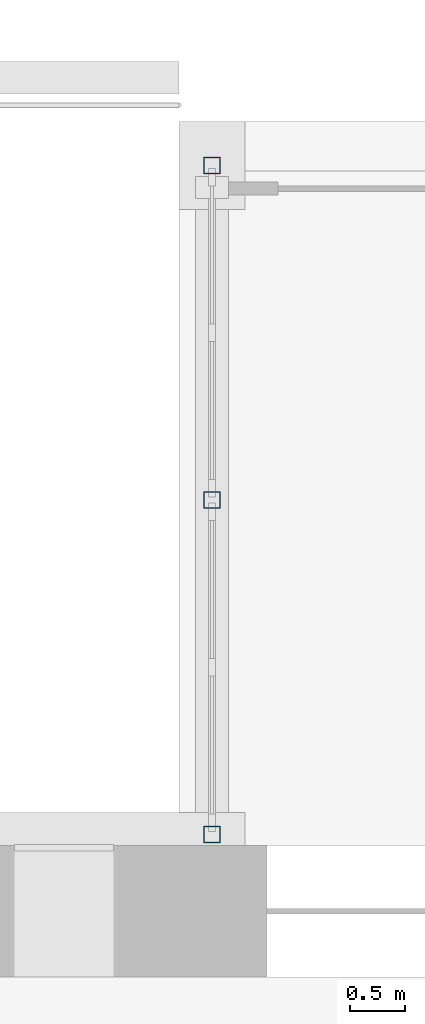
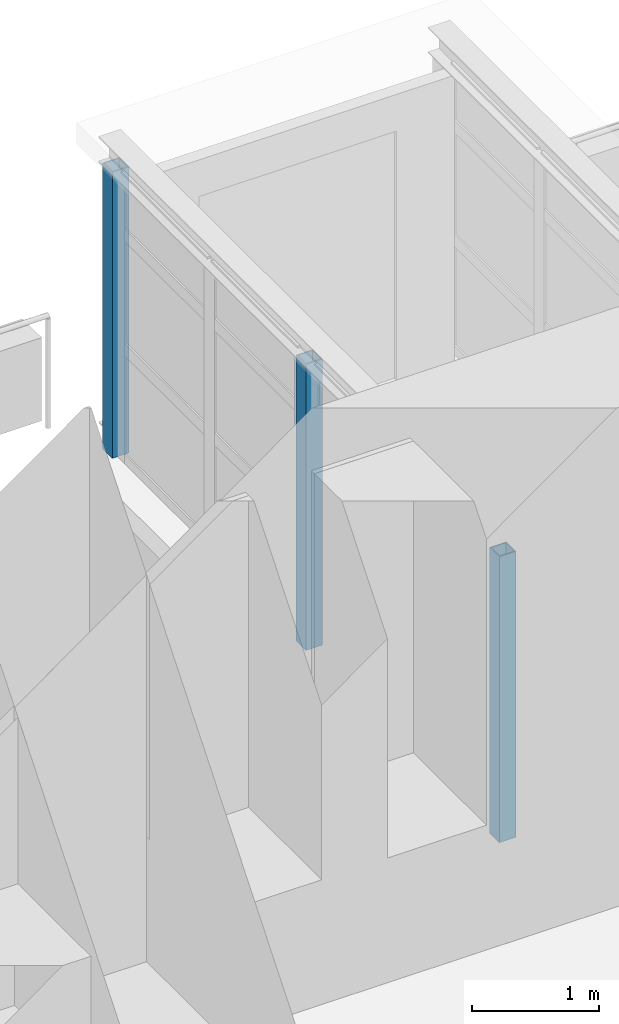
# One storey, part 21 of 131: 3 columns.
"""IFC4 building model written with IfcOpenShell, lengths in metres."""

from ifc_helpers import new_model, si_unit, direction, frame, origin, origin_2d, place, context, subcontext, project, spatial, hollow_rectangle, extrude, material, material_profile, profile_set, type_object, element, save


model = new_model("IFC4")

# Units and contexts
model_context = context("Model", 3, precision=1e-05, world=origin(), true_north=direction((0.0, 1.0)))
body_context = subcontext(model_context, "Body", "Model", "MODEL_VIEW")
ifc_project = project(units=[si_unit("LENGTHUNIT", "METRE"), si_unit("AREAUNIT", "SQUARE_METRE"), si_unit("VOLUMEUNIT", "CUBIC_METRE"), si_unit("PLANEANGLEUNIT", "RADIAN"), si_unit("MASSUNIT", "GRAM", prefix="KILO")], contexts=[model_context])

# Site, building, storey
site_placement = place(None, origin())
site = spatial("IfcSite", under=ifc_project, at=site_placement, CompositionType="ELEMENT")
building_placement = place(site_placement, origin())
building = spatial("IfcBuilding", under=site, at=building_placement, Name="Alderwick Market Hall", CompositionType="ELEMENT")
storey_placement = place(building_placement, frame((0.0, 0.0, 4.800048828125)))
storey = spatial("IfcBuildingStorey", under=building, at=storey_placement, Name="L00", CompositionType="ELEMENT", Elevation=4.800048828125)

# Columns
ifc_material = material(Name="Steel ASTM A500 Grade C", Category="steel")
ifc_material_profile = material_profile(ifc_material, hollow_rectangle(XDim=0.152099609375, YDim=0.152099609375, WallThickness=0.009521484375, at=origin_2d()), Name="HSS152x152x9.5")
ifc_profile_set = profile_set([ifc_material_profile], Name="Steel ASTM A500 Grade C")
column_type = type_object("IfcColumnType", Name="P HSS Column 152x152x9.5", PredefinedType="COLUMN", material=ifc_profile_set)
for number, where, z_axis, x_axis, name in (
    (1, (126.300048828125, 108.699951171875, 0.0), (0.0, 0.0, 1.0), (1.0, 0.0, 0.0), "P.P2.col.a0"),
    (2, (126.300048828125, 111.75, 0.0), (0.0, 0.0, 1.0), (1.0, 0.0, 0.0), "P.P2.col.a1"),
    (3, (126.300048828125, 114.800048828125, 0.0), (0.0, 0.0, 1.0), (1.0, 0.0, 0.0), "P.P2.col.a2"),
):
    element("IfcColumn", number, at=place(storey_placement, frame(where, z_axis=z_axis, x_axis=x_axis)), inside=storey, type_object=column_type, Name=name, PredefinedType="COLUMN", context=body_context, shape_type="SweptSolid", body=[
        extrude(hollow_rectangle(XDim=0.152099609375, YDim=0.152099609375, WallThickness=0.009521484375, at=origin_2d()), origin(), (0.0, 0.0, 1.0), 2.7529296875),
    ])

save(model, "model.ifc")
